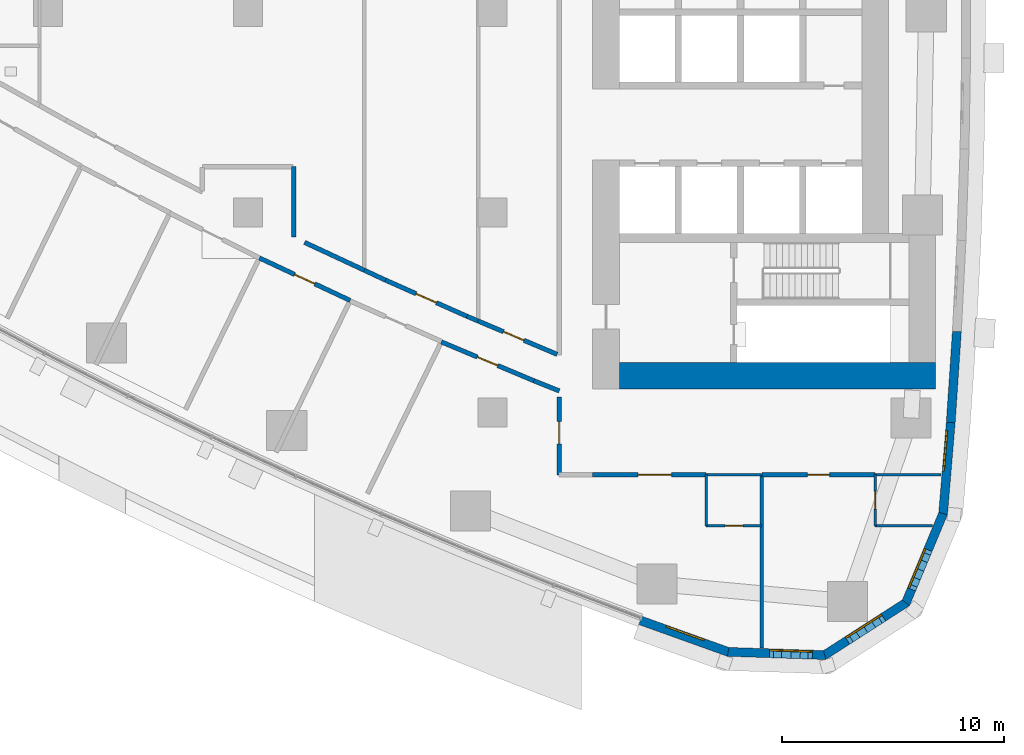
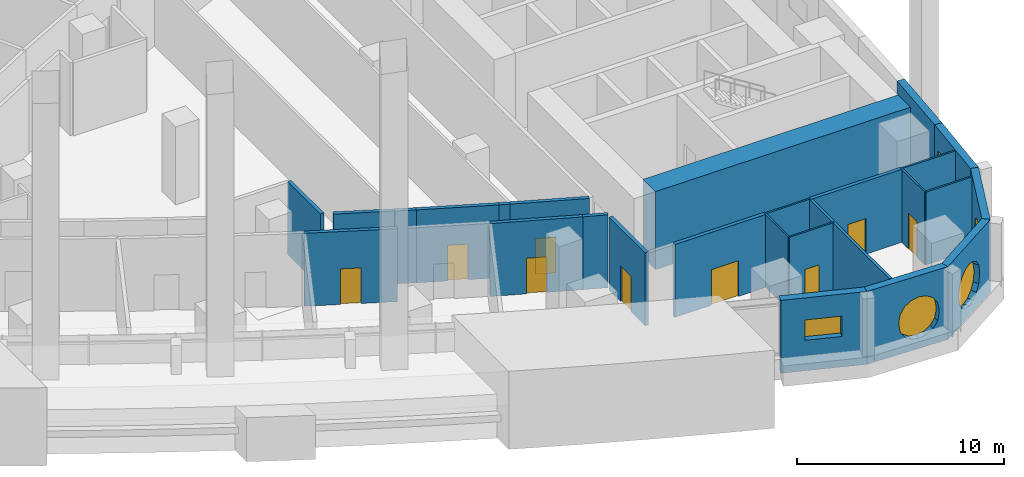
# One storey, part 10 of 20: 26 walls, 9 doors, 5 windows, 14 openings.
"""IFC4 building model written with IfcOpenShell, lengths in metres."""

from ifc_helpers import new_model, si_unit, direction, frame, frame_2d, origin, place, context, subcontext, project, spatial, polyline, rectangle, outline, extrude, material, layer, layer_set, type_object, element, fill, save


model = new_model("IFC4")

# Units and contexts
model_context = context("Model", 3, precision=1e-05, world=origin(), true_north=direction((0.0, 1.0)))
body_context = subcontext(model_context, "Body", "Model", "MODEL_VIEW")
ifc_project = project(units=[si_unit("LENGTHUNIT", "METRE"), si_unit("AREAUNIT", "SQUARE_METRE"), si_unit("VOLUMEUNIT", "CUBIC_METRE"), si_unit("PLANEANGLEUNIT", "RADIAN"), si_unit("MASSUNIT", "GRAM", prefix="KILO")], contexts=[model_context])

# Site, building, storey
site_placement = place(None, origin())
site = spatial("IfcSite", under=ifc_project, at=site_placement, CompositionType="ELEMENT")
building_placement = place(site_placement, origin())
building = spatial("IfcBuilding", under=site, at=building_placement, Name="Ostrand Prow Hotel Tower", CompositionType="ELEMENT")
storey_placement = place(building_placement, frame((0.0, 0.0, 35.0)))
storey = spatial("IfcBuildingStorey", under=building, at=storey_placement, Name="L06", CompositionType="ELEMENT", Elevation=35.0)

# Walls
ifc_material_1 = material(Name="Concrete C80/95", Category="concrete")
ifc_layer_1 = layer(ifc_material_1, 1.199951171875)
ifc_layer_set_1 = layer_set([ifc_layer_1], Name="Concrete C80/95")
wall_type_1 = type_object("IfcWallType", Name="Core wall 1200 C80/95", PredefinedType="SHEAR", material=ifc_layer_set_1)
wall_1_placement = place(storey_placement, frame((50.699951171875, -16.35009765625, 0.0), z_axis=(0.0, 0.0, 1.0), x_axis=(1.0, 0.0, 0.0)))
element("IfcWall", 1, at=wall_1_placement, inside=storey, type_object=wall_type_1, Name="Core wall CW-S", PredefinedType="SHEAR", context=body_context, shape_type="SweptSolid", body=[
    extrude(rectangle(XDim=14.219970703125, YDim=1.199951171875, at=frame_2d((7.10986328125, 0.0))), origin(), (0.0, 0.0, 1.0), 4.60009765625),
])
ifc_material_2 = material(Name="Plasterboard partition")
ifc_layer_2 = layer(ifc_material_2, 0.10009765625)
ifc_layer_set_2 = layer_set([ifc_layer_2], Name="Plasterboard partition")
wall_type_2 = type_object("IfcWallType", Name="Partition 100 bathroom wall", PredefinedType="PARTITIONING", material=ifc_layer_set_2)
wall_2_placement = place(storey_placement, frame((54.601806640625, -23.10009765625, 0.0), z_axis=(0.0, 0.0, 1.0), x_axis=(0.0, 1.0, 0.0)))
element("IfcWall", 2, at=wall_2_placement, inside=storey, type_object=wall_type_2, Name="BATHROOM WALL", PredefinedType="PARTITIONING", context=body_context, shape_type="SweptSolid", body=[
    extrude(rectangle(XDim=2.300048828125, YDim=0.10009765625, at=frame_2d((1.14990234375, 0.0))), origin(), (0.0, 0.0, 1.0), 4.300048828125),
])

# Wall, opening, door
wall_3_placement = place(storey_placement, frame((57.101806640625, -23.10009765625, 0.0), z_axis=(0.0, 0.0, 1.0), x_axis=(-1.0, 0.0, 0.0)))
wall_3 = element("IfcWall", 3, at=wall_3_placement, inside=storey, type_object=wall_type_2, Name="BATHROOM WALL", PredefinedType="PARTITIONING", context=body_context, shape_type="SweptSolid", body=[
    extrude(rectangle(XDim=2.5, YDim=0.10009765625, at=frame_2d((1.25, 0.0))), origin(), (0.0, 0.0, 1.0), 4.300048828125),
])
opening_1_placement = place(wall_3_placement, frame((0.85009765625, 0.0, 0.0)))
opening_1 = element("IfcOpeningElement", 4, at=opening_1_placement, cuts=wall_3, Name="Opening D2", PredefinedType="OPENING", context=body_context, shape_type="SweptSolid", body=[
    extrude(rectangle(XDim=0.800048828125, YDim=2.10009765625, at=frame_2d((0.39990234375, 1.050048828125))), frame((0.0, 0.06005859375, 0.0), z_axis=(0.0, -1.0, 0.0), x_axis=(1.0, 0.0, 0.0)), (0.0, 0.0, 1.0), 0.1201171875),
])
ifc_material_3 = material(Name="Timber door leaf", Category="wood")
door_type_1 = type_object("IfcDoorType", Name="Bathroom door 800", OperationType="SINGLE_SWING_LEFT", PredefinedType="DOOR", material=ifc_material_3)
door_1_placement = place(opening_1_placement, origin())
door_1 = element("IfcDoor", 5, at=door_1_placement, inside=storey, type_object=door_type_1, Name="DOOR", OperationType="SINGLE_SWING_LEFT", OverallHeight=2.10009765625, OverallWidth=0.800048828125, PredefinedType="DOOR", context=body_context, shape_type="SweptSolid", body=[
    extrude(rectangle(XDim=0.800048828125, YDim=2.10009765625, at=frame_2d((0.39990234375, 1.050048828125))), frame((0.0, 0.02490234375, 0.0), z_axis=(0.0, -1.0, 0.0), x_axis=(1.0, 0.0, 0.0)), (0.0, 0.0, 1.0), 0.050048828125),
])
fill(opening_1, door_1)

# Wall
wall_4_placement = place(storey_placement, frame((64.781494140625, -23.10009765625, 0.0), z_axis=(0.0, 0.0, 1.0), x_axis=(-1.0, 0.0, 0.0)))
element("IfcWall", 6, at=wall_4_placement, inside=storey, type_object=wall_type_2, Name="BATHROOM WALL", PredefinedType="PARTITIONING", context=body_context, shape_type="SweptSolid", body=[
    extrude(rectangle(XDim=2.578125, YDim=0.10009765625, at=frame_2d((1.2890625, 0.0))), origin(), (0.0, 0.0, 1.0), 4.300048828125),
])

# Wall, opening, door
wall_5_placement = place(storey_placement, frame((62.203369140625, -23.10009765625, 0.0), z_axis=(0.0, 0.0, 1.0), x_axis=(0.0, 1.0, 0.0)))
wall_5 = element("IfcWall", 7, at=wall_5_placement, inside=storey, type_object=wall_type_2, Name="BATHROOM WALL", PredefinedType="PARTITIONING", context=body_context, shape_type="SweptSolid", body=[
    extrude(rectangle(XDim=2.300048828125, YDim=0.10009765625, at=frame_2d((1.14990234375, 0.0))), origin(), (0.0, 0.0, 1.0), 4.300048828125),
])
opening_2_placement = place(wall_5_placement, frame((0.75, 0.0, 0.0)))
opening_2 = element("IfcOpeningElement", 8, at=opening_2_placement, cuts=wall_5, Name="Opening D2", PredefinedType="OPENING", context=body_context, shape_type="SweptSolid", body=[
    extrude(rectangle(XDim=0.800048828125, YDim=2.10009765625, at=frame_2d((0.39990234375, 1.050048828125))), frame((0.0, 0.06005859375, 0.0), z_axis=(0.0, -1.0, 0.0), x_axis=(1.0, 0.0, 0.0)), (0.0, 0.0, 1.0), 0.1201171875),
])
door_2_placement = place(opening_2_placement, origin())
door_2 = element("IfcDoor", 9, at=door_2_placement, inside=storey, type_object=door_type_1, Name="DOOR", OperationType="SINGLE_SWING_LEFT", OverallHeight=2.10009765625, OverallWidth=0.800048828125, PredefinedType="DOOR", context=body_context, shape_type="SweptSolid", body=[
    extrude(rectangle(XDim=0.800048828125, YDim=2.10009765625, at=frame_2d((0.39990234375, 1.050048828125))), frame((0.0, 0.02490234375, 0.0), z_axis=(0.0, -1.0, 0.0), x_axis=(1.0, 0.0, 0.0)), (0.0, 0.0, 1.0), 0.050048828125),
])
fill(opening_2, door_2)

# Walls
wall_6_placement = place(storey_placement, frame((54.601806640625, -20.804931640625, 0.0), z_axis=(0.0, 0.0, 1.0), x_axis=(1.0, 0.0, 0.0)))
element("IfcWall", 10, at=wall_6_placement, inside=storey, type_object=wall_type_2, Name="BATHROOM WALL", PredefinedType="PARTITIONING", context=body_context, shape_type="SweptSolid", body=[
    extrude(rectangle(XDim=2.5, YDim=0.10009765625, at=frame_2d((1.25, 0.0))), origin(), (0.0, 0.0, 1.0), 4.300048828125),
])
wall_7_placement = place(storey_placement, frame((62.203369140625, -20.804931640625, 0.0), z_axis=(0.0, 0.0, 1.0), x_axis=(1.0, 0.0, 0.0)))
element("IfcWall", 11, at=wall_7_placement, inside=storey, type_object=wall_type_2, Name="BATHROOM WALL", PredefinedType="PARTITIONING", context=body_context, shape_type="SweptSolid", body=[
    extrude(rectangle(XDim=2.97119140625, YDim=0.10009765625, at=frame_2d((1.485595703125, 0.0))), origin(), (0.0, 0.0, 1.0), 4.300048828125),
])
ifc_material_4 = material(Name="Plasterboard partition")
ifc_layer_3 = layer(ifc_material_4, 0.14990234375)
ifc_layer_set_3 = layer_set([ifc_layer_3], Name="Plasterboard partition")
wall_type_3 = type_object("IfcWallType", Name="Partition 150 room partition", PredefinedType="PARTITIONING", material=ifc_layer_set_3)
wall_8_placement = place(storey_placement, frame((57.101806640625, -28.5869140625, 0.0), z_axis=(0.0, 0.0, 1.0), x_axis=(0.0, 1.0, 0.0)))
element("IfcWall", 12, at=wall_8_placement, inside=storey, type_object=wall_type_3, Name="ROOM PARTITION", PredefinedType="PARTITIONING", context=body_context, shape_type="SweptSolid", body=[
    extrude(rectangle(XDim=7.786865234375, YDim=0.14990234375, at=frame_2d((3.8935546875, 0.0))), origin(), (0.0, 0.0, 1.0), 4.300048828125),
])

# Wall, opening, door
ifc_material_5 = material(Name="Plasterboard partition")
ifc_layer_4 = layer(ifc_material_5, 0.199951171875)
ifc_layer_set_4 = layer_set([ifc_layer_4], Name="Plasterboard partition")
wall_type_4 = type_object("IfcWallType", Name="Partition 200 corridor wall", PredefinedType="PARTITIONING", material=ifc_layer_set_4)
wall_9_placement = place(storey_placement, frame((34.51220703125, -11.0517578125, 0.0), z_axis=(0.0, 0.0, 1.0), x_axis=(0.905585758423, -0.424163216394, 0.0)))
wall_9 = element("IfcWall", 13, at=wall_9_placement, inside=storey, type_object=wall_type_4, Name="CORRIDOR WALL", PredefinedType="PARTITIONING", context=body_context, shape_type="SweptSolid", body=[
    extrude(rectangle(XDim=4.5068359375, YDim=0.199951171875, at=frame_2d((2.25341796875, 0.0))), origin(), (0.0, 0.0, 1.0), 4.300048828125),
])
opening_3_placement = place(wall_9_placement, frame((1.75341796875, 0.0, 0.0)))
opening_3 = element("IfcOpeningElement", 14, at=opening_3_placement, cuts=wall_9, Name="Opening D1R", PredefinedType="OPENING", context=body_context, shape_type="SweptSolid", body=[
    extrude(rectangle(XDim=1.0, YDim=2.10009765625, at=frame_2d((0.5, 1.050048828125))), frame((0.0, 0.10986328125, 0.0), z_axis=(0.0, -1.0, 0.0), x_axis=(1.0, 0.0, 0.0)), (0.0, 0.0, 1.0), 0.219970703125),
])
ifc_material_6 = material(Name="Timber door leaf", Category="wood")
door_type_2 = type_object("IfcDoorType", Name="Guest room door 1000 right", OperationType="SINGLE_SWING_RIGHT", PredefinedType="DOOR", material=ifc_material_6)
door_3_placement = place(opening_3_placement, origin())
door_3 = element("IfcDoor", 15, at=door_3_placement, inside=storey, type_object=door_type_2, Name="DOOR", OperationType="SINGLE_SWING_RIGHT", OverallHeight=2.10009765625, OverallWidth=1.0, PredefinedType="DOOR", context=body_context, shape_type="SweptSolid", body=[
    extrude(rectangle(XDim=1.0, YDim=2.10009765625, at=frame_2d((0.5, 1.050048828125))), frame((0.0, 0.02490234375, 0.0), z_axis=(0.0, -1.0, 0.0), x_axis=(1.0, 0.0, 0.0)), (0.0, 0.0, 1.0), 0.050048828125),
])
fill(opening_3, door_3)

wall_10_placement = place(storey_placement, frame((42.694091796875, -14.8271484375, 0.0), z_axis=(0.0, 0.0, 1.0), x_axis=(0.922040468003, -0.38709349693, 0.0)))
wall_10 = element("IfcWall", 16, at=wall_10_placement, inside=storey, type_object=wall_type_4, Name="CORRIDOR WALL", PredefinedType="PARTITIONING", context=body_context, shape_type="SweptSolid", body=[
    extrude(rectangle(XDim=4.509521484375, YDim=0.199951171875, at=frame_2d((2.2548828125, 0.0))), origin(), (0.0, 0.0, 1.0), 4.300048828125),
])
opening_4_placement = place(wall_10_placement, frame((1.7548828125, 0.0, 0.0)))
opening_4 = element("IfcOpeningElement", 17, at=opening_4_placement, cuts=wall_10, Name="Opening D1R", PredefinedType="OPENING", context=body_context, shape_type="SweptSolid", body=[
    extrude(rectangle(XDim=1.0, YDim=2.10009765625, at=frame_2d((0.5, 1.050048828125))), frame((0.0, 0.10986328125, 0.0), z_axis=(0.0, -1.0, 0.0), x_axis=(1.0, 0.0, 0.0)), (0.0, 0.0, 1.0), 0.219970703125),
])
door_4_placement = place(opening_4_placement, origin())
door_4 = element("IfcDoor", 18, at=door_4_placement, inside=storey, type_object=door_type_2, Name="DOOR", OperationType="SINGLE_SWING_RIGHT", OverallHeight=2.10009765625, OverallWidth=1.0, PredefinedType="DOOR", context=body_context, shape_type="SweptSolid", body=[
    extrude(rectangle(XDim=1.0, YDim=2.10009765625, at=frame_2d((0.5, 1.050048828125))), frame((0.0, 0.02490234375, 0.0), z_axis=(0.0, -1.0, 0.0), x_axis=(1.0, 0.0, 0.0)), (0.0, 0.0, 1.0), 0.050048828125),
])
fill(opening_4, door_4)

# Wall
wall_11_placement = place(storey_placement, frame((39.234130859375, -11.60693359375, 0.0), z_axis=(0.0, 0.0, 1.0), x_axis=(-0.90636141858, 0.422503229467, 0.0)))
element("IfcWall", 19, at=wall_11_placement, inside=storey, type_object=wall_type_4, Name="CORRIDOR WALL", PredefinedType="PARTITIONING", context=body_context, shape_type="SweptSolid", body=[
    extrude(rectangle(XDim=2.972412109375, YDim=0.199951171875, at=frame_2d((1.486328125, 0.0))), origin(), (0.0, 0.0, 1.0), 4.300048828125),
])

# Wall, opening, door
wall_12_placement = place(storey_placement, frame((43.85009765625, -13.67724609375, 0.0), z_axis=(0.0, 0.0, 1.0), x_axis=(-0.913986953061, 0.405743576209, 0.0)))
wall_12 = element("IfcWall", 20, at=wall_12_placement, inside=storey, type_object=wall_type_4, Name="CORRIDOR WALL", PredefinedType="PARTITIONING", context=body_context, shape_type="SweptSolid", body=[
    extrude(rectangle(XDim=4.015869140625, YDim=0.199951171875, at=frame_2d((2.0078125, 0.0))), origin(), (0.0, 0.0, 1.0), 4.300048828125),
])
opening_5_placement = place(wall_12_placement, frame((1.5078125, 0.0, 0.0)))
opening_5 = element("IfcOpeningElement", 21, at=opening_5_placement, cuts=wall_12, Name="Opening D1R", PredefinedType="OPENING", context=body_context, shape_type="SweptSolid", body=[
    extrude(rectangle(XDim=1.0, YDim=2.10009765625, at=frame_2d((0.5, 1.050048828125))), frame((0.0, 0.10986328125, 0.0), z_axis=(0.0, -1.0, 0.0), x_axis=(1.0, 0.0, 0.0)), (0.0, 0.0, 1.0), 0.219970703125),
])
door_5_placement = place(opening_5_placement, origin())
door_5 = element("IfcDoor", 22, at=door_5_placement, inside=storey, type_object=door_type_2, Name="DOOR", OperationType="SINGLE_SWING_RIGHT", OverallHeight=2.10009765625, OverallWidth=1.0, PredefinedType="DOOR", context=body_context, shape_type="SweptSolid", body=[
    extrude(rectangle(XDim=1.0, YDim=2.10009765625, at=frame_2d((0.5, 1.050048828125))), frame((0.0, 0.02490234375, 0.0), z_axis=(0.0, -1.0, 0.0), x_axis=(1.0, 0.0, 0.0)), (0.0, 0.0, 1.0), 0.050048828125),
])
fill(opening_5, door_5)

# Wall
wall_13_placement = place(storey_placement, frame((40.1796875, -12.0478515625, 0.0), z_axis=(0.0, 0.0, 1.0), x_axis=(-0.906308643899, 0.422616424188, 0.0)))
element("IfcWall", 23, at=wall_13_placement, inside=storey, type_object=wall_type_4, Name="CORRIDOR WALL", PredefinedType="PARTITIONING", context=body_context, shape_type="SweptSolid", body=[
    extrude(rectangle(XDim=1.043212890625, YDim=0.199951171875, at=frame_2d((0.521484375, 0.0))), origin(), (0.0, 0.0, 1.0), 4.300048828125),
])

# Wall, opening, door
wall_14_placement = place(storey_placement, frame((47.89990234375, -15.386962890625, 0.0), z_axis=(0.0, 0.0, 1.0), x_axis=(-0.921257124206, 0.388954124673, 0.0)))
wall_14 = element("IfcWall", 24, at=wall_14_placement, inside=storey, type_object=wall_type_4, Name="CORRIDOR WALL", PredefinedType="PARTITIONING", context=body_context, shape_type="SweptSolid", body=[
    extrude(rectangle(XDim=3.85595703125, YDim=0.199951171875, at=frame_2d((1.927978515625, 0.0))), origin(), (0.0, 0.0, 1.0), 4.300048828125),
])
opening_6_placement = place(wall_14_placement, frame((1.617919921875, 0.0, 0.0)))
opening_6 = element("IfcOpeningElement", 25, at=opening_6_placement, cuts=wall_14, Name="Opening D1", PredefinedType="OPENING", context=body_context, shape_type="SweptSolid", body=[
    extrude(rectangle(XDim=1.0, YDim=2.10009765625, at=frame_2d((0.5, 1.050048828125))), frame((0.0, 0.10986328125, 0.0), z_axis=(0.0, -1.0, 0.0), x_axis=(1.0, 0.0, 0.0)), (0.0, 0.0, 1.0), 0.219970703125),
])
ifc_material_7 = material(Name="Timber door leaf", Category="wood")
door_type_3 = type_object("IfcDoorType", Name="Guest room door 1000", OperationType="SINGLE_SWING_LEFT", PredefinedType="DOOR", material=ifc_material_7)
door_6_placement = place(opening_6_placement, origin())
door_6 = element("IfcDoor", 26, at=door_6_placement, inside=storey, type_object=door_type_3, Name="DOOR", OperationType="SINGLE_SWING_LEFT", OverallHeight=2.10009765625, OverallWidth=1.0, PredefinedType="DOOR", context=body_context, shape_type="SweptSolid", body=[
    extrude(rectangle(XDim=1.0, YDim=2.10009765625, at=frame_2d((0.5, 1.050048828125))), frame((0.0, 0.02490234375, 0.0), z_axis=(0.0, -1.0, 0.0), x_axis=(1.0, 0.0, 0.0)), (0.0, 0.0, 1.0), 0.050048828125),
])
fill(opening_6, door_6)

wall_15_placement = place(storey_placement, frame((49.5, -20.804931640625, 0.0), z_axis=(0.0, 0.0, 1.0), x_axis=(1.0, 0.0, 0.0)))
wall_15 = element("IfcWall", 27, at=wall_15_placement, inside=storey, type_object=wall_type_4, Name="CORRIDOR WALL", PredefinedType="PARTITIONING", context=body_context, shape_type="SweptSolid", body=[
    extrude(rectangle(XDim=5.0966796875, YDim=0.199951171875, at=frame_2d((2.54833984375, 0.0))), origin(), (0.0, 0.0, 1.0), 4.300048828125),
])
opening_7_placement = place(wall_15_placement, frame((2.04833984375, 0.0, 0.0)))
opening_7 = element("IfcOpeningElement", 28, at=opening_7_placement, cuts=wall_15, Name="Opening D15", PredefinedType="OPENING", context=body_context, shape_type="SweptSolid", body=[
    extrude(rectangle(XDim=1.5, YDim=2.10009765625, at=frame_2d((0.75, 1.050048828125))), frame((0.0, 0.10986328125, 0.0), z_axis=(0.0, -1.0, 0.0), x_axis=(1.0, 0.0, 0.0)), (0.0, 0.0, 1.0), 0.219970703125),
])
ifc_material_8 = material(Name="Timber door leaf", Category="wood")
door_type_4 = type_object("IfcDoorType", Name="Double door 1500", OperationType="DOUBLE_DOOR_SINGLE_SWING", PredefinedType="DOOR", material=ifc_material_8)
door_7_placement = place(opening_7_placement, origin())
door_7 = element("IfcDoor", 29, at=door_7_placement, inside=storey, type_object=door_type_4, Name="DOOR", OperationType="DOUBLE_DOOR_SINGLE_SWING", OverallHeight=2.10009765625, OverallWidth=1.5, PredefinedType="DOOR", context=body_context, shape_type="SweptSolid", body=[
    extrude(rectangle(XDim=1.5, YDim=2.10009765625, at=frame_2d((0.75, 1.050048828125))), frame((0.0, 0.02490234375, 0.0), z_axis=(0.0, -1.0, 0.0), x_axis=(1.0, 0.0, 0.0)), (0.0, 0.0, 1.0), 0.050048828125),
])
fill(opening_7, door_7)

wall_16_placement = place(storey_placement, frame((57.106689453125, -20.804931640625, 0.0), z_axis=(0.0, 0.0, 1.0), x_axis=(1.0, 0.0, 0.0)))
wall_16 = element("IfcWall", 30, at=wall_16_placement, inside=storey, type_object=wall_type_4, Name="CORRIDOR WALL", PredefinedType="PARTITIONING", context=body_context, shape_type="SweptSolid", body=[
    extrude(rectangle(XDim=5.091552734375, YDim=0.199951171875, at=frame_2d((2.5458984375, 0.0))), origin(), (0.0, 0.0, 1.0), 4.300048828125),
])
opening_8_placement = place(wall_16_placement, frame((2.0458984375, 0.0, 0.0)))
opening_8 = element("IfcOpeningElement", 31, at=opening_8_placement, cuts=wall_16, Name="Opening D1", PredefinedType="OPENING", context=body_context, shape_type="SweptSolid", body=[
    extrude(rectangle(XDim=1.0, YDim=2.10009765625, at=frame_2d((0.5, 1.050048828125))), frame((0.0, 0.10986328125, 0.0), z_axis=(0.0, -1.0, 0.0), x_axis=(1.0, 0.0, 0.0)), (0.0, 0.0, 1.0), 0.219970703125),
])
door_8_placement = place(opening_8_placement, origin())
door_8 = element("IfcDoor", 32, at=door_8_placement, inside=storey, type_object=door_type_3, Name="DOOR", OperationType="SINGLE_SWING_LEFT", OverallHeight=2.10009765625, OverallWidth=1.0, PredefinedType="DOOR", context=body_context, shape_type="SweptSolid", body=[
    extrude(rectangle(XDim=1.0, YDim=2.10009765625, at=frame_2d((0.5, 1.050048828125))), frame((0.0, 0.02490234375, 0.0), z_axis=(0.0, -1.0, 0.0), x_axis=(1.0, 0.0, 0.0)), (0.0, 0.0, 1.0), 0.050048828125),
])
fill(opening_8, door_8)

wall_17_placement = place(storey_placement, frame((47.99853515625, -17.31591796875, 0.0), z_axis=(0.0, 0.0, 1.0), x_axis=(-0.000770200024, -0.999999703396, 0.0)))
wall_17 = element("IfcWall", 33, at=wall_17_placement, inside=storey, type_object=wall_type_4, Name="CORRIDOR WALL", PredefinedType="PARTITIONING", context=body_context, shape_type="SweptSolid", body=[
    extrude(rectangle(XDim=3.48681640625, YDim=0.199951171875, at=frame_2d((1.743408203125, 0.0))), origin(), (0.0, 0.0, 1.0), 4.300048828125),
])
opening_9_placement = place(wall_17_placement, frame((1.10205078125, 0.0, 0.0)))
opening_9 = element("IfcOpeningElement", 34, at=opening_9_placement, cuts=wall_17, Name="Opening D1", PredefinedType="OPENING", context=body_context, shape_type="SweptSolid", body=[
    extrude(rectangle(XDim=1.0, YDim=2.10009765625, at=frame_2d((0.5, 1.050048828125))), frame((0.0, 0.10986328125, 0.0), z_axis=(0.0, -1.0, 0.0), x_axis=(1.0, 0.0, 0.0)), (0.0, 0.0, 1.0), 0.219970703125),
])
door_9_placement = place(opening_9_placement, origin())
door_9 = element("IfcDoor", 35, at=door_9_placement, inside=storey, type_object=door_type_3, Name="DOOR", OperationType="SINGLE_SWING_LEFT", OverallHeight=2.10009765625, OverallWidth=1.0, PredefinedType="DOOR", context=body_context, shape_type="SweptSolid", body=[
    extrude(rectangle(XDim=1.0, YDim=2.10009765625, at=frame_2d((0.5, 1.050048828125))), frame((0.0, 0.02490234375, 0.0), z_axis=(0.0, -1.0, 0.0), x_axis=(1.0, 0.0, 0.0)), (0.0, 0.0, 1.0), 0.050048828125),
])
fill(opening_9, door_9)

# Walls
wall_18_placement = place(storey_placement, frame((36.054931640625, -10.1083984375, 0.0), z_axis=(0.0, 0.0, 1.0), x_axis=(-0.00077190251, 0.999999702083, 0.0)))
element("IfcWall", 36, at=wall_18_placement, inside=storey, type_object=wall_type_4, Name="CORRIDOR WALL", PredefinedType="PARTITIONING", context=body_context, shape_type="SweptSolid", body=[
    extrude(rectangle(XDim=3.162841796875, YDim=0.199951171875, at=frame_2d((1.58154296875, 0.0))), origin(), (0.0, 0.0, 1.0), 4.300048828125),
])
wall_19_placement = place(storey_placement, frame((46.85205078125, -16.57275390625, 0.0), z_axis=(0.0, 0.0, 1.0), x_axis=(0.927985362933, -0.372616647752, 0.0)))
element("IfcWall", 37, at=wall_19_placement, inside=storey, type_object=wall_type_4, Name="CORRIDOR WALL", PredefinedType="PARTITIONING", context=body_context, shape_type="SweptSolid", body=[
    extrude(rectangle(XDim=1.23583984375, YDim=0.199951171875, at=frame_2d((0.617919921875, 0.0))), origin(), (0.0, 0.0, 1.0), 4.300048828125),
])
wall_20_placement = place(storey_placement, frame((44.34765625, -13.88720703125, 0.0), z_axis=(0.0, 0.0, 1.0), x_axis=(-0.921328740692, 0.388784453874, 0.0)))
element("IfcWall", 38, at=wall_20_placement, inside=storey, type_object=wall_type_4, Name="CORRIDOR WALL", PredefinedType="PARTITIONING", context=body_context, shape_type="SweptSolid", body=[
    extrude(rectangle(XDim=0.5400390625, YDim=0.199951171875, at=frame_2d((0.27001953125, 0.0))), origin(), (0.0, 0.0, 1.0), 4.300048828125),
])

# Wall, opening, window
ifc_material_9 = material(Name="Precast concrete C40/50", Category="concrete")
ifc_layer_5 = layer(ifc_material_9, 0.39990234375)
ifc_layer_set_5 = layer_set([ifc_layer_5], Name="Precast concrete C40/50")
wall_type_5 = type_object("IfcWallType", Name="Stone-faced precast wall 400 mm", PredefinedType="NOTDEFINED", material=ifc_layer_set_5)
wall_21_placement = place(storey_placement, frame((51.639892578125, -27.3515625, 0.0), z_axis=(0.0, 0.0, 1.0), x_axis=(0.941339752885, -0.337460323057, 0.0)))
wall_21 = element("IfcWall", 39, at=wall_21_placement, inside=storey, type_object=wall_type_5, Name="Stone-faced wall back 1", PredefinedType="NOTDEFINED", context=body_context, shape_type="SweptSolid", body=[
    extrude(outline(polyline([(0.0, -0.199951171875), (4.2275390625, -0.199951171875), (4.16455078125, 0.199951171875), (0.0, 0.199951171875), (0.0, -0.199951171875)])), origin(), (0.0, 0.0, 1.0), 4.300048828125),
])
opening_10_placement = place(wall_21_placement, frame((1.197998046875, 0.0, 1.800048828125)))
opening_10 = element("IfcOpeningElement", 40, at=opening_10_placement, cuts=wall_21, Name="Opening WC1", PredefinedType="OPENING", context=body_context, shape_type="SweptSolid", body=[
    extrude(rectangle(XDim=1.800048828125, YDim=1.199951171875, at=frame_2d((0.89990234375, 0.60009765625))), frame((0.0, 0.2099609375, 0.0), z_axis=(0.0, -1.0, 0.0), x_axis=(1.0, 0.0, 0.0)), (0.0, 0.0, 1.0), 0.419921875),
])
ifc_material_10 = material(Name="Insulated glass in bronze frame", Category="glass")
window_type_1 = type_object("IfcWindowType", Name="Sky lobby clerestory window 1800x1200", PartitioningType="SINGLE_PANEL", PredefinedType="WINDOW", material=ifc_material_10)
window_1_placement = place(opening_10_placement, origin())
window_1 = element("IfcWindow", 41, at=window_1_placement, inside=storey, type_object=window_type_1, Name="Window back 1.1", OverallHeight=1.199951171875, OverallWidth=1.800048828125, PartitioningType="SINGLE_PANEL", PredefinedType="WINDOW", context=body_context, shape_type="SweptSolid", body=[
    extrude(rectangle(XDim=1.800048828125, YDim=1.199951171875, at=frame_2d((0.89990234375, 0.60009765625))), frame((0.0, 0.169921875, 0.0), z_axis=(0.0, -1.0, 0.0), x_axis=(1.0, 0.0, 0.0)), (0.0, 0.0, 1.0), 0.06005859375),
])
fill(opening_10, window_1)

wall_22_placement = place(storey_placement, frame((55.58984375, -28.767578125, 0.0), z_axis=(0.0, 0.0, 1.0), x_axis=(0.999463576228, -0.032749958686, 0.0)))
wall_22 = element("IfcWall", 42, at=wall_22_placement, inside=storey, type_object=wall_type_5, Name="Stone-faced wall back 2", PredefinedType="NOTDEFINED", context=body_context, shape_type="SweptSolid", body=[
    extrude(outline(polyline([(-0.031494140625, -0.199951171875), (4.40869140625, -0.199951171875), (4.28369140625, 0.199951171875), (0.031494140625, 0.199951171875), (-0.031494140625, -0.199951171875)])), origin(), (0.0, 0.0, 1.0), 4.300048828125),
])
opening_11_placement = place(wall_22_placement, frame((1.724365234375, 0.0, 0.60009765625)))
opening_11 = element("IfcOpeningElement", 43, at=opening_11_placement, cuts=wall_22, Name="Opening WP2", PredefinedType="OPENING", context=body_context, shape_type="SweptSolid", body=[
    extrude(outline(polyline([(0.0, 1.35009765625), (0.083740234375, 1.77099609375), (0.322265625, 2.127685546875), (0.678955078125, 2.3662109375), (1.10009765625, 2.449951171875), (1.52099609375, 2.3662109375), (1.877685546875, 2.127685546875), (2.1162109375, 1.77099609375), (2.199951171875, 1.35009765625), (2.199951171875, 1.10009765625), (2.1162109375, 0.678955078125), (1.877685546875, 0.322265625), (1.52099609375, 0.083740234375), (1.10009765625, 0.0), (0.678955078125, 0.083740234375), (0.322265625, 0.322265625), (0.083740234375, 0.678955078125), (0.0, 1.099853515625), (0.0, 1.35009765625)])), frame((0.0, 0.2099609375, 0.0), z_axis=(0.0, -1.0, 0.0), x_axis=(1.0, 0.0, 0.0)), (0.0, 0.0, 1.0), 0.419921875),
])
ifc_material_11 = material(Name="Insulated glass in bronze frame", Category="glass")
window_type_2 = type_object("IfcWindowType", Name="Round-ended prow lounge window 2200x2450", PartitioningType="SINGLE_PANEL", PredefinedType="WINDOW", material=ifc_material_11)
window_2_placement = place(opening_11_placement, origin())
window_2 = element("IfcWindow", 44, at=window_2_placement, inside=storey, type_object=window_type_2, Name="Window back 2.1", OverallHeight=2.449951171875, OverallWidth=2.199951171875, PartitioningType="SINGLE_PANEL", PredefinedType="WINDOW", context=body_context, shape_type="SweptSolid", body=[
    extrude(outline(polyline([(0.0, 1.35009765625), (0.083740234375, 1.77099609375), (0.322265625, 2.127685546875), (0.678955078125, 2.3662109375), (1.10009765625, 2.449951171875), (1.52099609375, 2.3662109375), (1.877685546875, 2.127685546875), (2.1162109375, 1.77099609375), (2.199951171875, 1.35009765625), (2.199951171875, 1.10009765625), (2.1162109375, 0.678955078125), (1.877685546875, 0.322265625), (1.52099609375, 0.083740234375), (1.10009765625, 0.0), (0.678955078125, 0.083740234375), (0.322265625, 0.322265625), (0.083740234375, 0.678955078125), (0.0, 1.099853515625), (0.0, 1.35009765625)])), frame((0.0, 0.169921875, 0.0), z_axis=(0.0, -1.0, 0.0), x_axis=(1.0, 0.0, 0.0)), (0.0, 0.0, 1.0), 0.06005859375),
])
fill(opening_11, window_2)

wall_23_placement = place(storey_placement, frame((59.93359375, -28.909912109375, 0.0), z_axis=(0.0, 0.0, 1.0), x_axis=(0.840937468718, 0.541132307025, 0.0)))
wall_23 = element("IfcWall", 45, at=wall_23_placement, inside=storey, type_object=wall_type_5, Name="Stone-faced wall back 3", PredefinedType="NOTDEFINED", context=body_context, shape_type="SweptSolid", body=[
    extrude(outline(polyline([(-0.0625, -0.199951171875), (4.40869140625, -0.199951171875), (4.28369140625, 0.199951171875), (0.0625, 0.199951171875), (-0.0625, -0.199951171875)])), origin(), (0.0, 0.0, 1.0), 4.300048828125),
])
opening_12_placement = place(wall_23_placement, frame((1.072998046875, 0.0, 0.60009765625)))
opening_12 = element("IfcOpeningElement", 46, at=opening_12_placement, cuts=wall_23, Name="Opening WP2", PredefinedType="OPENING", context=body_context, shape_type="SweptSolid", body=[
    extrude(outline(polyline([(0.0, 1.35009765625), (0.083740234375, 1.77099609375), (0.322265625, 2.127685546875), (0.678955078125, 2.3662109375), (1.10009765625, 2.449951171875), (1.52099609375, 2.3662109375), (1.877685546875, 2.127685546875), (2.1162109375, 1.77099609375), (2.199951171875, 1.35009765625), (2.199951171875, 1.10009765625), (2.1162109375, 0.678955078125), (1.877685546875, 0.322265625), (1.52099609375, 0.083740234375), (1.10009765625, 0.0), (0.678955078125, 0.083740234375), (0.322265625, 0.322265625), (0.083740234375, 0.678955078125), (0.0, 1.099853515625), (0.0, 1.35009765625)])), frame((0.0, 0.2099609375, 0.0), z_axis=(0.0, -1.0, 0.0), x_axis=(1.0, 0.0, 0.0)), (0.0, 0.0, 1.0), 0.419921875),
])
window_3_placement = place(opening_12_placement, origin())
window_3 = element("IfcWindow", 47, at=window_3_placement, inside=storey, type_object=window_type_2, Name="Window back 3.1", OverallHeight=2.449951171875, OverallWidth=2.199951171875, PartitioningType="SINGLE_PANEL", PredefinedType="WINDOW", context=body_context, shape_type="SweptSolid", body=[
    extrude(outline(polyline([(0.0, 1.35009765625), (0.083740234375, 1.77099609375), (0.322265625, 2.127685546875), (0.678955078125, 2.3662109375), (1.10009765625, 2.449951171875), (1.52099609375, 2.3662109375), (1.877685546875, 2.127685546875), (2.1162109375, 1.77099609375), (2.199951171875, 1.35009765625), (2.199951171875, 1.10009765625), (2.1162109375, 0.678955078125), (1.877685546875, 0.322265625), (1.52099609375, 0.083740234375), (1.10009765625, 0.0), (0.678955078125, 0.083740234375), (0.322265625, 0.322265625), (0.083740234375, 0.678955078125), (0.0, 1.099853515625), (0.0, 1.35009765625)])), frame((0.0, 0.169921875, 0.0), z_axis=(0.0, -1.0, 0.0), x_axis=(1.0, 0.0, 0.0)), (0.0, 0.0, 1.0), 0.06005859375),
])
fill(opening_12, window_3)

wall_24_placement = place(storey_placement, frame((63.58837890625, -26.55810546875, 0.0), z_axis=(0.0, 0.0, 1.0), x_axis=(0.384372042685, 0.923178277908, 0.0)))
wall_24 = element("IfcWall", 48, at=wall_24_placement, inside=storey, type_object=wall_type_5, Name="Stone-faced wall back 4", PredefinedType="NOTDEFINED", context=body_context, shape_type="SweptSolid", body=[
    extrude(outline(polyline([(-0.0625, -0.199951171875), (4.376953125, -0.199951171875), (4.314453125, 0.199951171875), (0.0625, 0.199951171875), (-0.0625, -0.199951171875)])), origin(), (0.0, 0.0, 1.0), 4.300048828125),
])
opening_13_placement = place(wall_24_placement, frame((0.515380859375, 0.0, 0.60009765625)))
opening_13 = element("IfcOpeningElement", 49, at=opening_13_placement, cuts=wall_24, Name="Opening WP2", PredefinedType="OPENING", context=body_context, shape_type="SweptSolid", body=[
    extrude(outline(polyline([(0.0, 1.35009765625), (0.083740234375, 1.77099609375), (0.322265625, 2.127685546875), (0.678955078125, 2.3662109375), (1.10009765625, 2.449951171875), (1.52099609375, 2.3662109375), (1.877685546875, 2.127685546875), (2.1162109375, 1.77099609375), (2.199951171875, 1.35009765625), (2.199951171875, 1.10009765625), (2.1162109375, 0.678955078125), (1.877685546875, 0.322265625), (1.52099609375, 0.083740234375), (1.10009765625, 0.0), (0.678955078125, 0.083740234375), (0.322265625, 0.322265625), (0.083740234375, 0.678955078125), (0.0, 1.099853515625), (0.0, 1.35009765625)])), frame((0.0, 0.2099609375, 0.0), z_axis=(0.0, -1.0, 0.0), x_axis=(1.0, 0.0, 0.0)), (0.0, 0.0, 1.0), 0.419921875),
])
window_4_placement = place(opening_13_placement, origin())
window_4 = element("IfcWindow", 50, at=window_4_placement, inside=storey, type_object=window_type_2, Name="Window back 4.1", OverallHeight=2.449951171875, OverallWidth=2.199951171875, PartitioningType="SINGLE_PANEL", PredefinedType="WINDOW", context=body_context, shape_type="SweptSolid", body=[
    extrude(outline(polyline([(0.0, 1.35009765625), (0.083740234375, 1.77099609375), (0.322265625, 2.127685546875), (0.678955078125, 2.3662109375), (1.10009765625, 2.449951171875), (1.52099609375, 2.3662109375), (1.877685546875, 2.127685546875), (2.1162109375, 1.77099609375), (2.199951171875, 1.35009765625), (2.199951171875, 1.10009765625), (2.1162109375, 0.678955078125), (1.877685546875, 0.322265625), (1.52099609375, 0.083740234375), (1.10009765625, 0.0), (0.678955078125, 0.083740234375), (0.322265625, 0.322265625), (0.083740234375, 0.678955078125), (0.0, 1.099853515625), (0.0, 1.35009765625)])), frame((0.0, 0.169921875, 0.0), z_axis=(0.0, -1.0, 0.0), x_axis=(1.0, 0.0, 0.0)), (0.0, 0.0, 1.0), 0.06005859375),
])
fill(opening_13, window_4)

wall_25_placement = place(storey_placement, frame((65.2587890625, -22.546142578125, 0.0), z_axis=(0.0, 0.0, 1.0), x_axis=(0.083793550906, 0.996483136248, 0.0)))
wall_25 = element("IfcWall", 51, at=wall_25_placement, inside=storey, type_object=wall_type_5, Name="Stone-faced wall back 5", PredefinedType="NOTDEFINED", context=body_context, shape_type="SweptSolid", body=[
    extrude(outline(polyline([(-0.03125, -0.199951171875), (4.10693359375, -0.199951171875), (4.103515625, 0.199951171875), (0.03125, 0.199951171875), (-0.03125, -0.199951171875)])), origin(), (0.0, 0.0, 1.0), 4.300048828125),
])
opening_14_placement = place(wall_25_placement, frame((1.916748046875, 0.0, 1.800048828125)))
opening_14 = element("IfcOpeningElement", 52, at=opening_14_placement, cuts=wall_25, Name="Opening WC1", PredefinedType="OPENING", context=body_context, shape_type="SweptSolid", body=[
    extrude(rectangle(XDim=1.800048828125, YDim=1.199951171875, at=frame_2d((0.89990234375, 0.60009765625))), frame((0.0, 0.2099609375, 0.0), z_axis=(0.0, -1.0, 0.0), x_axis=(1.0, 0.0, 0.0)), (0.0, 0.0, 1.0), 0.419921875),
])
window_5_placement = place(opening_14_placement, origin())
window_5 = element("IfcWindow", 53, at=window_5_placement, inside=storey, type_object=window_type_1, Name="Window back 5.1", OverallHeight=1.199951171875, OverallWidth=1.800048828125, PartitioningType="SINGLE_PANEL", PredefinedType="WINDOW", context=body_context, shape_type="SweptSolid", body=[
    extrude(rectangle(XDim=1.800048828125, YDim=1.199951171875, at=frame_2d((0.89990234375, 0.60009765625))), frame((0.0, 0.169921875, 0.0), z_axis=(0.0, -1.0, 0.0), x_axis=(1.0, 0.0, 0.0)), (0.0, 0.0, 1.0), 0.06005859375),
])
fill(opening_14, window_5)

# Wall
wall_26_placement = place(storey_placement, frame((65.602783203125, -18.455322265625, 0.0), z_axis=(0.0, 0.0, 1.0), x_axis=(0.067087430225, 0.997747100575, 0.0)))
element("IfcWall", 54, at=wall_26_placement, inside=storey, type_object=wall_type_5, Name="Stone-faced wall back 6", PredefinedType="NOTDEFINED", context=body_context, shape_type="SweptSolid", body=[
    extrude(outline(polyline([(-0.001708984375, -0.199951171875), (4.106689453125, -0.199951171875), (4.103271484375, 0.199951171875), (0.001708984375, 0.199951171875), (-0.001708984375, -0.199951171875)])), origin(), (0.0, 0.0, 1.0), 4.300048828125),
])

save(model, "model.ifc")
